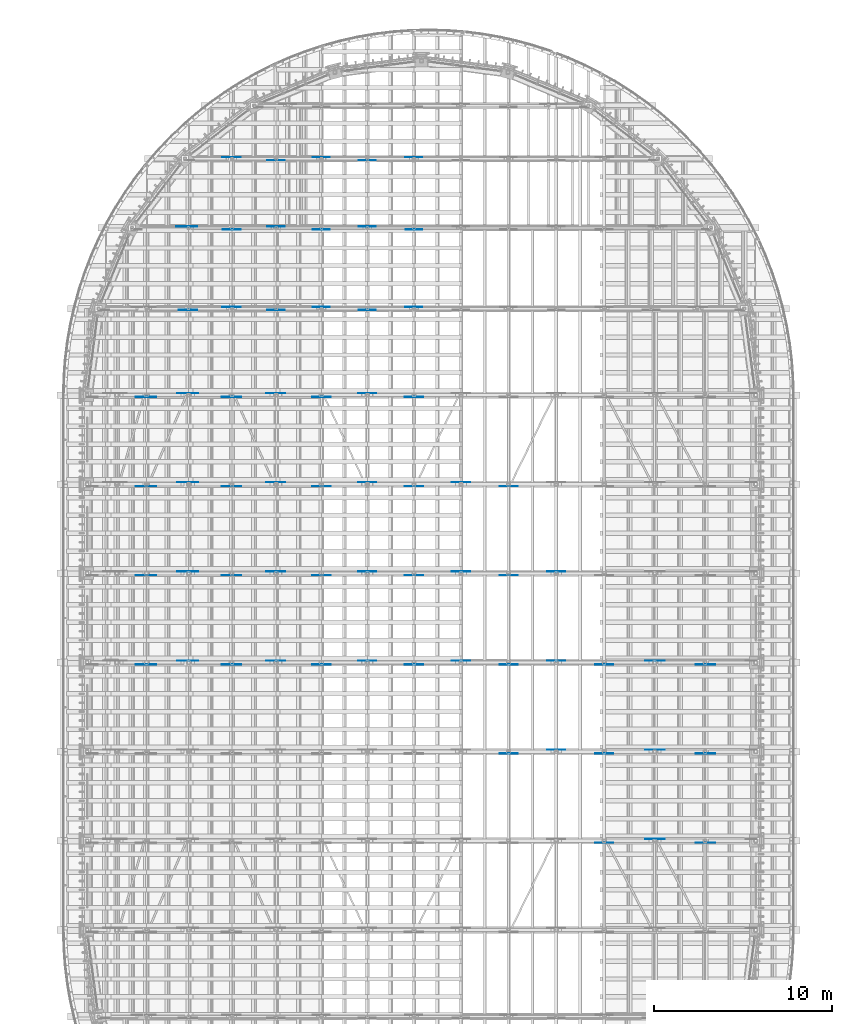
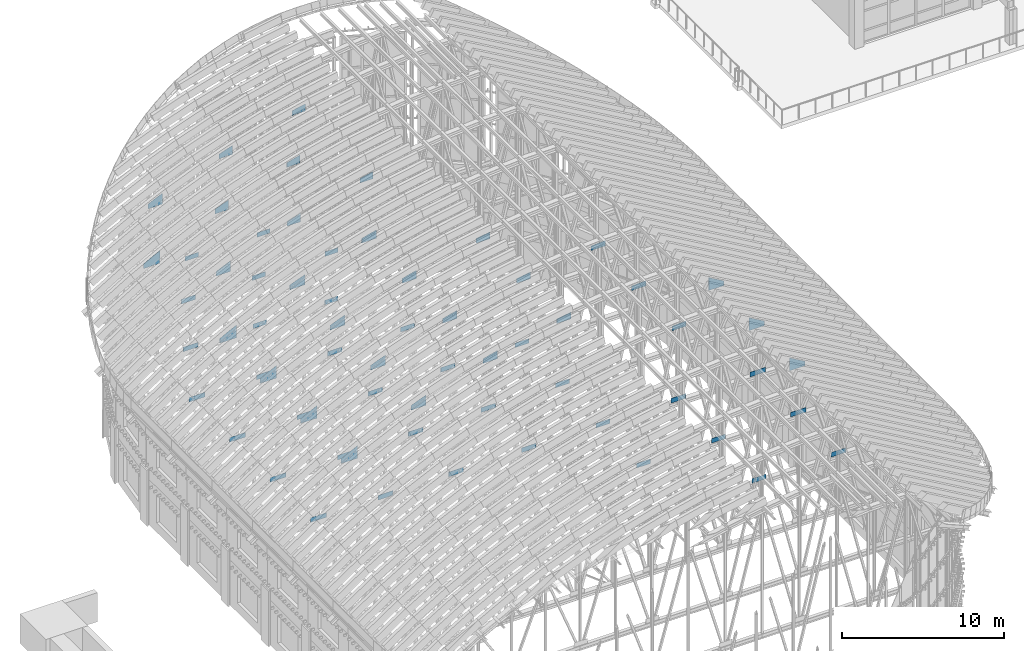
# One storey, part 62 of 105: 64 discrete accessories.
"""IFC4 building model written with IfcOpenShell, lengths in metres."""

from ifc_helpers import new_model, si_unit, direction, frame, origin, place, context, subcontext, project, spatial, polyline, outline, extrude, element, save


model = new_model("IFC4")

# Units and contexts
model_context = context("Model", 3, precision=1e-05, world=origin(), true_north=direction((0.0, 1.0)))
body_context = subcontext(model_context, "Body", "Model", "MODEL_VIEW")
ifc_project = project(units=[si_unit("LENGTHUNIT", "METRE"), si_unit("AREAUNIT", "SQUARE_METRE"), si_unit("VOLUMEUNIT", "CUBIC_METRE"), si_unit("PLANEANGLEUNIT", "RADIAN"), si_unit("MASSUNIT", "GRAM", prefix="KILO")], contexts=[model_context])

# Site, building, storey
site_placement = place(None, origin())
site = spatial("IfcSite", under=ifc_project, at=site_placement, CompositionType="ELEMENT")
building_placement = place(site_placement, origin())
building = spatial("IfcBuilding", under=site, at=building_placement, Name="Wasatch Bagh Community Centre", CompositionType="ELEMENT")
storey_placement = place(building_placement, frame((0.0, 0.0, 16.800048828125)))
storey = spatial("IfcBuildingStorey", under=building, at=storey_placement, Name="L04", CompositionType="ELEMENT", Elevation=16.800048828125)

# Discrete accessories
discrete_accessory_1_placement = place(storey_placement, frame((45.747802734375, 39.885986328125, 8.071044921875), z_axis=(0.0, -1.0, 0.0), x_axis=(1.0, 0.0, 0.0)))
element("IfcDiscreteAccessory", 1, at=discrete_accessory_1_placement, inside=storey, Name="Gusset plate", PredefinedType="BRACKET", context=body_context, shape_type="SweptSolid", body=[
    extrude(outline(polyline([(0.0, 0.0), (1.01904296875, 0.0), (1.01904296875, 0.35009765625), (0.0, 0.35009765625), (0.0, 0.0)])), origin(), (0.0, 0.0, -1.0), 0.011962890625),
])
discrete_accessory_2_placement = place(storey_placement, frame((51.3984375, 39.885986328125, 8.071044921875), z_axis=(0.0, -1.0, 0.0), x_axis=(1.0, 0.0, 0.0)))
element("IfcDiscreteAccessory", 2, at=discrete_accessory_2_placement, inside=storey, Name="Gusset plate", PredefinedType="BRACKET", context=body_context, shape_type="SweptSolid", body=[
    extrude(outline(polyline([(0.0, 0.0), (1.083740234375, 0.0), (1.083740234375, 0.35009765625), (0.0, 0.35009765625), (0.0, 0.0)])), origin(), (0.0, 0.0, -1.0), 0.011962890625),
])
discrete_accessory_3_placement = place(storey_placement, frame((48.56640625, 40.114013671875, 16.436767578125), z_axis=(0.0, 1.0, 0.0), x_axis=(0.865538231451, 0.0, -0.500842859484)))
element("IfcDiscreteAccessory", 3, at=discrete_accessory_3_placement, inside=storey, Name="Gusset plate", PredefinedType="BRACKET", context=body_context, shape_type="SweptSolid", body=[
    extrude(outline(polyline([(0.0, 0.0), (0.5971379245240133, 0.0), (1.25255662563071, 0.0032267911189696186), (1.427900536885637, 0.30624969734483143), (0.49093849629604763, 0.8484218748234554), (0.0, 0.0)])), origin(), (0.0, 0.0, -1.0), 0.011962890625),
])
discrete_accessory_4_placement = place(storey_placement, frame((40.384033203125, 44.885986328125, 8.071044921875), z_axis=(0.0, -1.0, 0.0), x_axis=(1.0, 0.0, 0.0)))
element("IfcDiscreteAccessory", 4, at=discrete_accessory_4_placement, inside=storey, Name="Gusset plate", PredefinedType="BRACKET", context=body_context, shape_type="SweptSolid", body=[
    extrude(outline(polyline([(0.0, 0.0), (1.00732421875, 0.0), (1.00732421875, 0.35009765625), (0.0, 0.35009765625), (0.0, 0.0)])), origin(), (0.0, 0.0, -1.0), 0.011962890625),
])
discrete_accessory_5_placement = place(storey_placement, frame((45.747802734375, 44.885986328125, 8.071044921875), z_axis=(0.0, -1.0, 0.0), x_axis=(1.0, 0.0, 0.0)))
element("IfcDiscreteAccessory", 5, at=discrete_accessory_5_placement, inside=storey, Name="Gusset plate", PredefinedType="BRACKET", context=body_context, shape_type="SweptSolid", body=[
    extrude(outline(polyline([(0.0, 0.0), (1.01904296875, 0.0), (1.01904296875, 0.35009765625), (0.0, 0.35009765625), (0.0, 0.0)])), origin(), (0.0, 0.0, -1.0), 0.011962890625),
])
discrete_accessory_6_placement = place(storey_placement, frame((51.3984375, 44.885986328125, 8.071044921875), z_axis=(0.0, -1.0, 0.0), x_axis=(1.0, 0.0, 0.0)))
element("IfcDiscreteAccessory", 6, at=discrete_accessory_6_placement, inside=storey, Name="Gusset plate", PredefinedType="BRACKET", context=body_context, shape_type="SweptSolid", body=[
    extrude(outline(polyline([(0.0, 0.0), (1.083740234375, 0.0), (1.083740234375, 0.35009765625), (0.0, 0.35009765625), (0.0, 0.0)])), origin(), (0.0, 0.0, -1.0), 0.011962890625),
])
discrete_accessory_7_placement = place(storey_placement, frame((43.059326171875, 45.114013671875, 17.7216796875), z_axis=(0.0, 1.0, 0.0), x_axis=(0.997003391419, 0.0, 0.077357853503)))
element("IfcDiscreteAccessory", 7, at=discrete_accessory_7_placement, inside=storey, Name="Gusset plate", PredefinedType="BRACKET", context=body_context, shape_type="SweptSolid", body=[
    extrude(outline(polyline([(0.0, 0.0), (0.5081144168966908, 0.0), (1.0105002169094446, 0.026491700501360058), (0.9794135404285474, 0.4271429657054703), (-0.02708280320389224, 0.3490485506091701), (0.0, 0.0)])), origin(), (0.0, 0.0, -1.0), 0.011962890625),
])
discrete_accessory_8_placement = place(storey_placement, frame((48.56640625, 45.114013671875, 16.436767578125), z_axis=(0.0, 1.0, 0.0), x_axis=(0.865538231451, 0.0, -0.500842859484)))
element("IfcDiscreteAccessory", 8, at=discrete_accessory_8_placement, inside=storey, Name="Gusset plate", PredefinedType="BRACKET", context=body_context, shape_type="SweptSolid", body=[
    extrude(outline(polyline([(0.0, 0.0), (0.5971379245240133, 0.0), (1.25255662563071, 0.0032267911189696186), (1.427900536885637, 0.30624969734483143), (0.49093849629604763, 0.8484218748234554), (0.0, 0.0)])), origin(), (0.0, 0.0, -1.0), 0.011962890625),
])
discrete_accessory_9_placement = place(storey_placement, frame((19.98486328125, 49.885986328125, 8.071044921875), z_axis=(0.0, -1.0, 0.0), x_axis=(1.0, 0.0, 0.0)))
element("IfcDiscreteAccessory", 9, at=discrete_accessory_9_placement, inside=storey, Name="Gusset plate", PredefinedType="BRACKET", context=body_context, shape_type="SweptSolid", body=[
    extrude(outline(polyline([(0.0, 0.0), (1.14990234375, 0.0), (1.14990234375, 0.35009765625), (0.0, 0.35009765625), (0.0, 0.0)])), origin(), (0.0, 0.0, -1.0), 0.011962890625),
])
discrete_accessory_10_placement = place(storey_placement, frame((24.814453125, 49.885986328125, 8.071044921875), z_axis=(0.0, -1.0, 0.0), x_axis=(1.0, 0.0, 0.0)))
element("IfcDiscreteAccessory", 10, at=discrete_accessory_10_placement, inside=storey, Name="Gusset plate", PredefinedType="BRACKET", context=body_context, shape_type="SweptSolid", body=[
    extrude(outline(polyline([(0.0, 0.0), (1.083740234375, 0.0), (1.083740234375, 0.35009765625), (0.0, 0.35009765625), (0.0, 0.0)])), origin(), (0.0, 0.0, -1.0), 0.011962890625),
])
discrete_accessory_11_placement = place(storey_placement, frame((29.8701171875, 49.885986328125, 8.071044921875), z_axis=(0.0, -1.0, 0.0), x_axis=(1.0, 0.0, 0.0)))
element("IfcDiscreteAccessory", 11, at=discrete_accessory_11_placement, inside=storey, Name="Gusset plate", PredefinedType="BRACKET", context=body_context, shape_type="SweptSolid", body=[
    extrude(outline(polyline([(0.0, 0.0), (1.035888671875, 0.0), (1.035888671875, 0.35009765625), (0.0, 0.35009765625), (0.0, 0.0)])), origin(), (0.0, 0.0, -1.0), 0.011962890625),
])
discrete_accessory_12_placement = place(storey_placement, frame((35.073974609375, 49.885986328125, 8.071044921875), z_axis=(0.0, -1.0, 0.0), x_axis=(1.0, 0.0, 0.0)))
element("IfcDiscreteAccessory", 12, at=discrete_accessory_12_placement, inside=storey, Name="Gusset plate", PredefinedType="BRACKET", context=body_context, shape_type="SweptSolid", body=[
    extrude(outline(polyline([(0.0, 0.0), (1.015869140625, 0.0), (1.015869140625, 0.35009765625), (0.0, 0.35009765625), (0.0, 0.0)])), origin(), (0.0, 0.0, -1.0), 0.011962890625),
])
discrete_accessory_13_placement = place(storey_placement, frame((40.384033203125, 49.885986328125, 8.071044921875), z_axis=(0.0, -1.0, 0.0), x_axis=(1.0, 0.0, 0.0)))
element("IfcDiscreteAccessory", 13, at=discrete_accessory_13_placement, inside=storey, Name="Gusset plate", PredefinedType="BRACKET", context=body_context, shape_type="SweptSolid", body=[
    extrude(outline(polyline([(0.0, 0.0), (1.00732421875, 0.0), (1.00732421875, 0.35009765625), (0.0, 0.35009765625), (0.0, 0.0)])), origin(), (0.0, 0.0, -1.0), 0.011962890625),
])
discrete_accessory_14_placement = place(storey_placement, frame((45.747802734375, 49.885986328125, 8.071044921875), z_axis=(0.0, -1.0, 0.0), x_axis=(1.0, 0.0, 0.0)))
element("IfcDiscreteAccessory", 14, at=discrete_accessory_14_placement, inside=storey, Name="Gusset plate", PredefinedType="BRACKET", context=body_context, shape_type="SweptSolid", body=[
    extrude(outline(polyline([(0.0, 0.0), (1.01904296875, 0.0), (1.01904296875, 0.35009765625), (0.0, 0.35009765625), (0.0, 0.0)])), origin(), (0.0, 0.0, -1.0), 0.011962890625),
])
discrete_accessory_15_placement = place(storey_placement, frame((51.3984375, 49.885986328125, 8.071044921875), z_axis=(0.0, -1.0, 0.0), x_axis=(1.0, 0.0, 0.0)))
element("IfcDiscreteAccessory", 15, at=discrete_accessory_15_placement, inside=storey, Name="Gusset plate", PredefinedType="BRACKET", context=body_context, shape_type="SweptSolid", body=[
    extrude(outline(polyline([(0.0, 0.0), (1.083740234375, 0.0), (1.083740234375, 0.35009765625), (0.0, 0.35009765625), (0.0, 0.0)])), origin(), (0.0, 0.0, -1.0), 0.011962890625),
])
discrete_accessory_16_placement = place(storey_placement, frame((22.302490234375, 50.114013671875, 11.925048828125), z_axis=(0.0, 1.0, 0.0), x_axis=(0.88123530685, 0.0, 0.47267783316)))
element("IfcDiscreteAccessory", 16, at=discrete_accessory_16_placement, inside=storey, Name="Gusset plate", PredefinedType="BRACKET", context=body_context, shape_type="SweptSolid", body=[
    extrude(outline(polyline([(0.0, 0.0), (0.7272395189381735, 0.0), (1.3220068813973835, 0.0259097277356114), (0.8719474211132257, 0.8649765482227667), (-0.16548340155063654, 0.3085184155329694), (0.0, 0.0)])), origin(), (0.0, 0.0, -1.0), 0.011962890625),
])
discrete_accessory_17_placement = place(storey_placement, frame((27.30224609375, 50.114013671875, 14.214599609375), z_axis=(0.0, 1.0, 0.0), x_axis=(0.925314460262, 0.0, 0.379200671981)))
element("IfcDiscreteAccessory", 17, at=discrete_accessory_17_placement, inside=storey, Name="Gusset plate", PredefinedType="BRACKET", context=body_context, shape_type="SweptSolid", body=[
    extrude(outline(polyline([(0.0, 0.0), (0.6026245254422946, 0.0), (1.148414289711042, 0.0247286896550164), (0.8592922929832771, 0.7302357842343062), (-0.13266468821994468, 0.32372451698114707), (0.0, 0.0)])), origin(), (0.0, 0.0, -1.0), 0.011962890625),
])
discrete_accessory_18_placement = place(storey_placement, frame((32.444091796875, 50.114013671875, 15.9384765625), z_axis=(0.0, 1.0, 0.0), x_axis=(0.959541831045, 0.0, 0.281566110311)))
element("IfcDiscreteAccessory", 18, at=discrete_accessory_18_placement, inside=storey, Name="Gusset plate", PredefinedType="BRACKET", context=body_context, shape_type="SweptSolid", body=[
    extrude(outline(polyline([(0.0, 0.0), (0.5505964361396236, 0.0), (1.0694922193100176, 0.02479205536379331), (0.8928947248302147, 0.6266140680477204), (-0.09850689357320268, 0.3356990829801742), (0.0, 0.0)])), origin(), (0.0, 0.0, -1.0), 0.011962890625),
])
discrete_accessory_19_placement = place(storey_placement, frame((37.712158203125, 50.114013671875, 17.10888671875), z_axis=(0.0, 1.0, 0.0), x_axis=(0.983614840547, 0.0, 0.180282682076)))
element("IfcDiscreteAccessory", 19, at=discrete_accessory_19_placement, inside=storey, Name="Gusset plate", PredefinedType="BRACKET", context=body_context, shape_type="SweptSolid", body=[
    extrude(outline(polyline([(0.0, 0.0), (0.5227250902032334, 0.0), (1.0289938394058082, 0.024783030615625812), (0.9368278393408399, 0.5276369066177592), (-0.06311654445709872, 0.34436125032810855), (0.0, 0.0)])), origin(), (0.0, 0.0, -1.0), 0.011962890625),
])
discrete_accessory_20_placement = place(storey_placement, frame((43.059326171875, 50.114013671875, 17.7216796875), z_axis=(0.0, 1.0, 0.0), x_axis=(0.997003391419, 0.0, 0.077357853503)))
element("IfcDiscreteAccessory", 20, at=discrete_accessory_20_placement, inside=storey, Name="Gusset plate", PredefinedType="BRACKET", context=body_context, shape_type="SweptSolid", body=[
    extrude(outline(polyline([(0.0, 0.0), (0.5081144168966908, 0.0), (1.0105002169094446, 0.026491700501360058), (0.9794135404285474, 0.4271429657054703), (-0.02708280320389224, 0.3490485506091701), (0.0, 0.0)])), origin(), (0.0, 0.0, -1.0), 0.011962890625),
])
discrete_accessory_21_placement = place(storey_placement, frame((48.56640625, 50.114013671875, 16.436767578125), z_axis=(0.0, 1.0, 0.0), x_axis=(0.865538231451, 0.0, -0.500842859484)))
element("IfcDiscreteAccessory", 21, at=discrete_accessory_21_placement, inside=storey, Name="Gusset plate", PredefinedType="BRACKET", context=body_context, shape_type="SweptSolid", body=[
    extrude(outline(polyline([(0.0, 0.0), (0.5971379245240133, 0.0), (1.25255662563071, 0.0032267911189696186), (1.427900536885637, 0.30624969734483143), (0.49093849629604763, 0.8484218748234554), (0.0, 0.0)])), origin(), (0.0, 0.0, -1.0), 0.011962890625),
])
discrete_accessory_22_placement = place(storey_placement, frame((19.98486328125, 54.885986328125, 8.071044921875), z_axis=(0.0, -1.0, 0.0), x_axis=(1.0, 0.0, 0.0)))
element("IfcDiscreteAccessory", 22, at=discrete_accessory_22_placement, inside=storey, Name="Gusset plate", PredefinedType="BRACKET", context=body_context, shape_type="SweptSolid", body=[
    extrude(outline(polyline([(0.0, 0.0), (1.14990234375, 0.0), (1.14990234375, 0.35009765625), (0.0, 0.35009765625), (0.0, 0.0)])), origin(), (0.0, 0.0, -1.0), 0.011962890625),
])
discrete_accessory_23_placement = place(storey_placement, frame((24.814453125, 54.885986328125, 8.071044921875), z_axis=(0.0, -1.0, 0.0), x_axis=(1.0, 0.0, 0.0)))
element("IfcDiscreteAccessory", 23, at=discrete_accessory_23_placement, inside=storey, Name="Gusset plate", PredefinedType="BRACKET", context=body_context, shape_type="SweptSolid", body=[
    extrude(outline(polyline([(0.0, 0.0), (1.083740234375, 0.0), (1.083740234375, 0.35009765625), (0.0, 0.35009765625), (0.0, 0.0)])), origin(), (0.0, 0.0, -1.0), 0.011962890625),
])
discrete_accessory_24_placement = place(storey_placement, frame((29.8701171875, 54.885986328125, 8.071044921875), z_axis=(0.0, -1.0, 0.0), x_axis=(1.0, 0.0, 0.0)))
element("IfcDiscreteAccessory", 24, at=discrete_accessory_24_placement, inside=storey, Name="Gusset plate", PredefinedType="BRACKET", context=body_context, shape_type="SweptSolid", body=[
    extrude(outline(polyline([(0.0, 0.0), (1.035888671875, 0.0), (1.035888671875, 0.35009765625), (0.0, 0.35009765625), (0.0, 0.0)])), origin(), (0.0, 0.0, -1.0), 0.011962890625),
])
discrete_accessory_25_placement = place(storey_placement, frame((35.073974609375, 54.885986328125, 8.071044921875), z_axis=(0.0, -1.0, 0.0), x_axis=(1.0, 0.0, 0.0)))
element("IfcDiscreteAccessory", 25, at=discrete_accessory_25_placement, inside=storey, Name="Gusset plate", PredefinedType="BRACKET", context=body_context, shape_type="SweptSolid", body=[
    extrude(outline(polyline([(0.0, 0.0), (1.015869140625, 0.0), (1.015869140625, 0.35009765625), (0.0, 0.35009765625), (0.0, 0.0)])), origin(), (0.0, 0.0, -1.0), 0.011962890625),
])
discrete_accessory_26_placement = place(storey_placement, frame((40.384033203125, 54.885986328125, 8.071044921875), z_axis=(0.0, -1.0, 0.0), x_axis=(1.0, 0.0, 0.0)))
element("IfcDiscreteAccessory", 26, at=discrete_accessory_26_placement, inside=storey, Name="Gusset plate", PredefinedType="BRACKET", context=body_context, shape_type="SweptSolid", body=[
    extrude(outline(polyline([(0.0, 0.0), (1.00732421875, 0.0), (1.00732421875, 0.35009765625), (0.0, 0.35009765625), (0.0, 0.0)])), origin(), (0.0, 0.0, -1.0), 0.011962890625),
])
discrete_accessory_27_placement = place(storey_placement, frame((22.302490234375, 55.114013671875, 11.925048828125), z_axis=(0.0, 1.0, 0.0), x_axis=(0.88123530685, 0.0, 0.47267783316)))
element("IfcDiscreteAccessory", 27, at=discrete_accessory_27_placement, inside=storey, Name="Gusset plate", PredefinedType="BRACKET", context=body_context, shape_type="SweptSolid", body=[
    extrude(outline(polyline([(0.0, 0.0), (0.7272395189381735, 0.0), (1.3220068813973835, 0.0259097277356114), (0.8719474211132257, 0.8649765482227667), (-0.16548340155063654, 0.3085184155329694), (0.0, 0.0)])), origin(), (0.0, 0.0, -1.0), 0.011962890625),
])
discrete_accessory_28_placement = place(storey_placement, frame((27.30224609375, 55.114013671875, 14.214599609375), z_axis=(0.0, 1.0, 0.0), x_axis=(0.925314460262, 0.0, 0.379200671981)))
element("IfcDiscreteAccessory", 28, at=discrete_accessory_28_placement, inside=storey, Name="Gusset plate", PredefinedType="BRACKET", context=body_context, shape_type="SweptSolid", body=[
    extrude(outline(polyline([(0.0, 0.0), (0.6026245254422946, 0.0), (1.148414289711042, 0.0247286896550164), (0.8592922929832771, 0.7302357842343062), (-0.13266468821994468, 0.32372451698114707), (0.0, 0.0)])), origin(), (0.0, 0.0, -1.0), 0.011962890625),
])
discrete_accessory_29_placement = place(storey_placement, frame((32.444091796875, 55.114013671875, 15.9384765625), z_axis=(0.0, 1.0, 0.0), x_axis=(0.959541831045, 0.0, 0.281566110311)))
element("IfcDiscreteAccessory", 29, at=discrete_accessory_29_placement, inside=storey, Name="Gusset plate", PredefinedType="BRACKET", context=body_context, shape_type="SweptSolid", body=[
    extrude(outline(polyline([(0.0, 0.0), (0.5505964361396236, 0.0), (1.0694922193100176, 0.02479205536379331), (0.8928947248302147, 0.6266140680477204), (-0.09850689357320268, 0.3356990829801742), (0.0, 0.0)])), origin(), (0.0, 0.0, -1.0), 0.011962890625),
])
discrete_accessory_30_placement = place(storey_placement, frame((37.712158203125, 55.114013671875, 17.10888671875), z_axis=(0.0, 1.0, 0.0), x_axis=(0.983614840547, 0.0, 0.180282682076)))
element("IfcDiscreteAccessory", 30, at=discrete_accessory_30_placement, inside=storey, Name="Gusset plate", PredefinedType="BRACKET", context=body_context, shape_type="SweptSolid", body=[
    extrude(outline(polyline([(0.0, 0.0), (0.5227250902032334, 0.0), (1.0289938394058082, 0.024783030615625812), (0.9368278393408399, 0.5276369066177592), (-0.06311654445709872, 0.34436125032810855), (0.0, 0.0)])), origin(), (0.0, 0.0, -1.0), 0.011962890625),
])
discrete_accessory_31_placement = place(storey_placement, frame((43.059326171875, 55.114013671875, 17.7216796875), z_axis=(0.0, 1.0, 0.0), x_axis=(0.997003391419, 0.0, 0.077357853503)))
element("IfcDiscreteAccessory", 31, at=discrete_accessory_31_placement, inside=storey, Name="Gusset plate", PredefinedType="BRACKET", context=body_context, shape_type="SweptSolid", body=[
    extrude(outline(polyline([(0.0, 0.0), (0.5081144168966908, 0.0), (1.0105002169094446, 0.026491700501360058), (0.9794135404285474, 0.4271429657054703), (-0.02708280320389224, 0.3490485506091701), (0.0, 0.0)])), origin(), (0.0, 0.0, -1.0), 0.011962890625),
])
discrete_accessory_32_placement = place(storey_placement, frame((19.98486328125, 59.885986328125, 8.071044921875), z_axis=(0.0, -1.0, 0.0), x_axis=(1.0, 0.0, 0.0)))
element("IfcDiscreteAccessory", 32, at=discrete_accessory_32_placement, inside=storey, Name="Gusset plate", PredefinedType="BRACKET", context=body_context, shape_type="SweptSolid", body=[
    extrude(outline(polyline([(0.0, 0.0), (1.14990234375, 0.0), (1.14990234375, 0.35009765625), (0.0, 0.35009765625), (0.0, 0.0)])), origin(), (0.0, 0.0, -1.0), 0.011962890625),
])
discrete_accessory_33_placement = place(storey_placement, frame((24.814453125, 59.885986328125, 8.071044921875), z_axis=(0.0, -1.0, 0.0), x_axis=(1.0, 0.0, 0.0)))
element("IfcDiscreteAccessory", 33, at=discrete_accessory_33_placement, inside=storey, Name="Gusset plate", PredefinedType="BRACKET", context=body_context, shape_type="SweptSolid", body=[
    extrude(outline(polyline([(0.0, 0.0), (1.083740234375, 0.0), (1.083740234375, 0.35009765625), (0.0, 0.35009765625), (0.0, 0.0)])), origin(), (0.0, 0.0, -1.0), 0.011962890625),
])
discrete_accessory_34_placement = place(storey_placement, frame((29.8701171875, 59.885986328125, 8.071044921875), z_axis=(0.0, -1.0, 0.0), x_axis=(1.0, 0.0, 0.0)))
element("IfcDiscreteAccessory", 34, at=discrete_accessory_34_placement, inside=storey, Name="Gusset plate", PredefinedType="BRACKET", context=body_context, shape_type="SweptSolid", body=[
    extrude(outline(polyline([(0.0, 0.0), (1.035888671875, 0.0), (1.035888671875, 0.35009765625), (0.0, 0.35009765625), (0.0, 0.0)])), origin(), (0.0, 0.0, -1.0), 0.011962890625),
])
discrete_accessory_35_placement = place(storey_placement, frame((35.073974609375, 59.885986328125, 8.071044921875), z_axis=(0.0, -1.0, 0.0), x_axis=(1.0, 0.0, 0.0)))
element("IfcDiscreteAccessory", 35, at=discrete_accessory_35_placement, inside=storey, Name="Gusset plate", PredefinedType="BRACKET", context=body_context, shape_type="SweptSolid", body=[
    extrude(outline(polyline([(0.0, 0.0), (1.015869140625, 0.0), (1.015869140625, 0.35009765625), (0.0, 0.35009765625), (0.0, 0.0)])), origin(), (0.0, 0.0, -1.0), 0.011962890625),
])
discrete_accessory_36_placement = place(storey_placement, frame((40.384033203125, 59.885986328125, 8.071044921875), z_axis=(0.0, -1.0, 0.0), x_axis=(1.0, 0.0, 0.0)))
element("IfcDiscreteAccessory", 36, at=discrete_accessory_36_placement, inside=storey, Name="Gusset plate", PredefinedType="BRACKET", context=body_context, shape_type="SweptSolid", body=[
    extrude(outline(polyline([(0.0, 0.0), (1.00732421875, 0.0), (1.00732421875, 0.35009765625), (0.0, 0.35009765625), (0.0, 0.0)])), origin(), (0.0, 0.0, -1.0), 0.011962890625),
])
discrete_accessory_37_placement = place(storey_placement, frame((22.302490234375, 60.114013671875, 11.925048828125), z_axis=(0.0, 1.0, 0.0), x_axis=(0.88123530685, 0.0, 0.47267783316)))
element("IfcDiscreteAccessory", 37, at=discrete_accessory_37_placement, inside=storey, Name="Gusset plate", PredefinedType="BRACKET", context=body_context, shape_type="SweptSolid", body=[
    extrude(outline(polyline([(0.0, 0.0), (0.7272395189381735, 0.0), (1.3220068813973835, 0.0259097277356114), (0.8719474211132257, 0.8649765482227667), (-0.16548340155063654, 0.3085184155329694), (0.0, 0.0)])), origin(), (0.0, 0.0, -1.0), 0.011962890625),
])
discrete_accessory_38_placement = place(storey_placement, frame((27.30224609375, 60.114013671875, 14.214599609375), z_axis=(0.0, 1.0, 0.0), x_axis=(0.925314460262, 0.0, 0.379200671981)))
element("IfcDiscreteAccessory", 38, at=discrete_accessory_38_placement, inside=storey, Name="Gusset plate", PredefinedType="BRACKET", context=body_context, shape_type="SweptSolid", body=[
    extrude(outline(polyline([(0.0, 0.0), (0.6026245254422946, 0.0), (1.148414289711042, 0.0247286896550164), (0.8592922929832771, 0.7302357842343062), (-0.13266468821994468, 0.32372451698114707), (0.0, 0.0)])), origin(), (0.0, 0.0, -1.0), 0.011962890625),
])
discrete_accessory_39_placement = place(storey_placement, frame((32.444091796875, 60.114013671875, 15.9384765625), z_axis=(0.0, 1.0, 0.0), x_axis=(0.959541831045, 0.0, 0.281566110311)))
element("IfcDiscreteAccessory", 39, at=discrete_accessory_39_placement, inside=storey, Name="Gusset plate", PredefinedType="BRACKET", context=body_context, shape_type="SweptSolid", body=[
    extrude(outline(polyline([(0.0, 0.0), (0.5505964361396236, 0.0), (1.0694922193100176, 0.02479205536379331), (0.8928947248302147, 0.6266140680477204), (-0.09850689357320268, 0.3356990829801742), (0.0, 0.0)])), origin(), (0.0, 0.0, -1.0), 0.011962890625),
])
discrete_accessory_40_placement = place(storey_placement, frame((37.712158203125, 60.114013671875, 17.10888671875), z_axis=(0.0, 1.0, 0.0), x_axis=(0.983614840547, 0.0, 0.180282682076)))
element("IfcDiscreteAccessory", 40, at=discrete_accessory_40_placement, inside=storey, Name="Gusset plate", PredefinedType="BRACKET", context=body_context, shape_type="SweptSolid", body=[
    extrude(outline(polyline([(0.0, 0.0), (0.5227250902032334, 0.0), (1.0289938394058082, 0.024783030615625812), (0.9368278393408399, 0.5276369066177592), (-0.06311654445709872, 0.34436125032810855), (0.0, 0.0)])), origin(), (0.0, 0.0, -1.0), 0.011962890625),
])
discrete_accessory_41_placement = place(storey_placement, frame((19.98486328125, 64.885986328125, 8.071044921875), z_axis=(0.0, -1.0, 0.0), x_axis=(1.0, 0.0, 0.0)))
element("IfcDiscreteAccessory", 41, at=discrete_accessory_41_placement, inside=storey, Name="Gusset plate", PredefinedType="BRACKET", context=body_context, shape_type="SweptSolid", body=[
    extrude(outline(polyline([(0.0, 0.0), (1.14990234375, 0.0), (1.14990234375, 0.35009765625), (0.0, 0.35009765625), (0.0, 0.0)])), origin(), (0.0, 0.0, -1.0), 0.011962890625),
])
discrete_accessory_42_placement = place(storey_placement, frame((24.814453125, 64.885986328125, 8.071044921875), z_axis=(0.0, -1.0, 0.0), x_axis=(1.0, 0.0, 0.0)))
element("IfcDiscreteAccessory", 42, at=discrete_accessory_42_placement, inside=storey, Name="Gusset plate", PredefinedType="BRACKET", context=body_context, shape_type="SweptSolid", body=[
    extrude(outline(polyline([(0.0, 0.0), (1.083740234375, 0.0), (1.083740234375, 0.35009765625), (0.0, 0.35009765625), (0.0, 0.0)])), origin(), (0.0, 0.0, -1.0), 0.011962890625),
])
discrete_accessory_43_placement = place(storey_placement, frame((29.8701171875, 64.885986328125, 8.071044921875), z_axis=(0.0, -1.0, 0.0), x_axis=(1.0, 0.0, 0.0)))
element("IfcDiscreteAccessory", 43, at=discrete_accessory_43_placement, inside=storey, Name="Gusset plate", PredefinedType="BRACKET", context=body_context, shape_type="SweptSolid", body=[
    extrude(outline(polyline([(0.0, 0.0), (1.035888671875, 0.0), (1.035888671875, 0.35009765625), (0.0, 0.35009765625), (0.0, 0.0)])), origin(), (0.0, 0.0, -1.0), 0.011962890625),
])
discrete_accessory_44_placement = place(storey_placement, frame((35.073974609375, 64.885986328125, 8.071044921875), z_axis=(0.0, -1.0, 0.0), x_axis=(1.0, 0.0, 0.0)))
element("IfcDiscreteAccessory", 44, at=discrete_accessory_44_placement, inside=storey, Name="Gusset plate", PredefinedType="BRACKET", context=body_context, shape_type="SweptSolid", body=[
    extrude(outline(polyline([(0.0, 0.0), (1.015869140625, 0.0), (1.015869140625, 0.35009765625), (0.0, 0.35009765625), (0.0, 0.0)])), origin(), (0.0, 0.0, -1.0), 0.011962890625),
])
discrete_accessory_45_placement = place(storey_placement, frame((22.302490234375, 65.114013671875, 11.925048828125), z_axis=(0.0, 1.0, 0.0), x_axis=(0.88123530685, 0.0, 0.47267783316)))
element("IfcDiscreteAccessory", 45, at=discrete_accessory_45_placement, inside=storey, Name="Gusset plate", PredefinedType="BRACKET", context=body_context, shape_type="SweptSolid", body=[
    extrude(outline(polyline([(0.0, 0.0), (0.7272395189381735, 0.0), (1.3220068813973835, 0.0259097277356114), (0.8719474211132257, 0.8649765482227667), (-0.16548340155063654, 0.3085184155329694), (0.0, 0.0)])), origin(), (0.0, 0.0, -1.0), 0.011962890625),
])
discrete_accessory_46_placement = place(storey_placement, frame((27.30224609375, 65.114013671875, 14.214599609375), z_axis=(0.0, 1.0, 0.0), x_axis=(0.925314460262, 0.0, 0.379200671981)))
element("IfcDiscreteAccessory", 46, at=discrete_accessory_46_placement, inside=storey, Name="Gusset plate", PredefinedType="BRACKET", context=body_context, shape_type="SweptSolid", body=[
    extrude(outline(polyline([(0.0, 0.0), (0.6026245254422946, 0.0), (1.148414289711042, 0.0247286896550164), (0.8592922929832771, 0.7302357842343062), (-0.13266468821994468, 0.32372451698114707), (0.0, 0.0)])), origin(), (0.0, 0.0, -1.0), 0.011962890625),
])
discrete_accessory_47_placement = place(storey_placement, frame((32.444091796875, 65.114013671875, 15.9384765625), z_axis=(0.0, 1.0, 0.0), x_axis=(0.959541831045, 0.0, 0.281566110311)))
element("IfcDiscreteAccessory", 47, at=discrete_accessory_47_placement, inside=storey, Name="Gusset plate", PredefinedType="BRACKET", context=body_context, shape_type="SweptSolid", body=[
    extrude(outline(polyline([(0.0, 0.0), (0.5505964361396236, 0.0), (1.0694922193100176, 0.02479205536379331), (0.8928947248302147, 0.6266140680477204), (-0.09850689357320268, 0.3356990829801742), (0.0, 0.0)])), origin(), (0.0, 0.0, -1.0), 0.011962890625),
])
discrete_accessory_48_placement = place(storey_placement, frame((22.383056640625, 69.76416015625, 8.071044921875), z_axis=(0.0, -1.0, 0.0), x_axis=(1.0, 0.0, 0.0)))
element("IfcDiscreteAccessory", 48, at=discrete_accessory_48_placement, inside=storey, Name="Gusset plate", PredefinedType="BRACKET", context=body_context, shape_type="SweptSolid", body=[
    extrude(outline(polyline([(0.0, 0.0), (1.057861328125, 0.0), (1.057861328125, 0.35009765625), (0.0, 0.35009765625), (0.0, 0.0)])), origin(), (0.0, 0.0, -1.0), 0.011962890625),
])
discrete_accessory_49_placement = place(storey_placement, frame((27.361572265625, 69.76416015625, 8.071044921875), z_axis=(0.0, -1.0, 0.0), x_axis=(1.0, 0.0, 0.0)))
element("IfcDiscreteAccessory", 49, at=discrete_accessory_49_placement, inside=storey, Name="Gusset plate", PredefinedType="BRACKET", context=body_context, shape_type="SweptSolid", body=[
    extrude(outline(polyline([(0.0, 0.0), (0.975830078125, 0.0), (0.975830078125, 0.35009765625), (0.0, 0.35009765625), (0.0, 0.0)])), origin(), (0.0, 0.0, -1.0), 0.011962890625),
])
discrete_accessory_50_placement = place(storey_placement, frame((32.494384765625, 69.76416015625, 8.071044921875), z_axis=(0.0, -1.0, 0.0), x_axis=(1.0, 0.0, 0.0)))
element("IfcDiscreteAccessory", 50, at=discrete_accessory_50_placement, inside=storey, Name="Gusset plate", PredefinedType="BRACKET", context=body_context, shape_type="SweptSolid", body=[
    extrude(outline(polyline([(0.0, 0.0), (0.94677734375, 0.0), (0.94677734375, 0.35009765625), (0.0, 0.35009765625), (0.0, 0.0)])), origin(), (0.0, 0.0, -1.0), 0.011962890625),
])
discrete_accessory_51_placement = place(storey_placement, frame((24.833984375, 69.941650390625, 13.1796875), z_axis=(0.0, 1.0, 0.0), x_axis=(0.904419680261, 0.0, 0.426643928771)))
element("IfcDiscreteAccessory", 51, at=discrete_accessory_51_placement, inside=storey, Name="Gusset plate", PredefinedType="BRACKET", context=body_context, shape_type="SweptSolid", body=[
    extrude(outline(polyline([(0.0, 0.0), (0.5968411940343104, 2.7755575615628914e-17), (1.1202816578865034, 0.023411983327647323), (0.7760291714150194, 0.7531744450615406), (-0.14936703951591765, 0.31663521032568925), (0.0, 0.0)])), origin(), (0.0, 0.0, -1.0), 0.011962890625),
])
discrete_accessory_52_placement = place(storey_placement, frame((29.898193359375, 69.941650390625, 15.17431640625), z_axis=(0.0, 1.0, 0.0), x_axis=(0.943749854034, 0.0, 0.330660268268)))
element("IfcDiscreteAccessory", 52, at=discrete_accessory_52_placement, inside=storey, Name="Gusset plate", PredefinedType="BRACKET", context=body_context, shape_type="SweptSolid", body=[
    extrude(outline(polyline([(0.0, 0.0), (0.5264384092368144, 0.0), (1.0157810688987814, 0.02244363273640171), (0.7959598016881677, 0.6498437432183073), (-0.11576338493573998, 0.33040461198349347), (0.0, 0.0)])), origin(), (0.0, 0.0, -1.0), 0.011962890625),
])
discrete_accessory_53_placement = place(storey_placement, frame((35.106689453125, 69.941650390625, 16.615966796875), z_axis=(0.0, 1.0, 0.0), x_axis=(0.972880725955, 0.0, 0.231307356273)))
element("IfcDiscreteAccessory", 53, at=discrete_accessory_53_placement, inside=storey, Name="Gusset plate", PredefinedType="BRACKET", context=body_context, shape_type="SweptSolid", body=[
    extrude(outline(polyline([(0.0, 0.0), (0.4918543581284864, 1.3877787807814457e-17), (0.9634831859783247, 0.022795348104226315), (0.836139902678674, 0.5584022907379506), (-0.08092369178199538, 0.3403657422590363), (0.0, 0.0)])), origin(), (0.0, 0.0, -1.0), 0.011962890625),
])
discrete_accessory_54_placement = place(storey_placement, frame((24.854736328125, 74.286376953125, 8.071044921875), z_axis=(0.0, -1.0, 0.0), x_axis=(1.0, 0.0, 0.0)))
element("IfcDiscreteAccessory", 54, at=discrete_accessory_54_placement, inside=storey, Name="Gusset plate", PredefinedType="BRACKET", context=body_context, shape_type="SweptSolid", body=[
    extrude(outline(polyline([(0.0, 0.0), (1.00439453125, 0.0), (1.00439453125, 0.35009765625), (0.0, 0.35009765625), (0.0, 0.0)])), origin(), (0.0, 0.0, -1.0), 0.011962890625),
])
discrete_accessory_55_placement = place(storey_placement, frame((29.908935546875, 74.286376953125, 8.071044921875), z_axis=(0.0, -1.0, 0.0), x_axis=(1.0, 0.0, 0.0)))
element("IfcDiscreteAccessory", 55, at=discrete_accessory_55_placement, inside=storey, Name="Gusset plate", PredefinedType="BRACKET", context=body_context, shape_type="SweptSolid", body=[
    extrude(outline(polyline([(0.0, 0.0), (0.95849609375, 0.0), (0.95849609375, 0.35009765625), (0.0, 0.35009765625), (0.0, 0.0)])), origin(), (0.0, 0.0, -1.0), 0.011962890625),
])
discrete_accessory_56_placement = place(storey_placement, frame((35.1123046875, 74.286376953125, 8.071044921875), z_axis=(0.0, -1.0, 0.0), x_axis=(1.0, 0.0, 0.0)))
element("IfcDiscreteAccessory", 56, at=discrete_accessory_56_placement, inside=storey, Name="Gusset plate", PredefinedType="BRACKET", context=body_context, shape_type="SweptSolid", body=[
    extrude(outline(polyline([(0.0, 0.0), (0.939208984375, 0.0), (0.939208984375, 0.35009765625), (0.0, 0.35009765625), (0.0, 0.0)])), origin(), (0.0, 0.0, -1.0), 0.011962890625),
])
discrete_accessory_57_placement = place(storey_placement, frame((22.243896484375, 74.463623046875, 11.907958984375), z_axis=(0.0, 1.0, 0.0), x_axis=(0.881200895897, 0.0, 0.472741981498)))
element("IfcDiscreteAccessory", 57, at=discrete_accessory_57_placement, inside=storey, Name="Gusset plate", PredefinedType="BRACKET", context=body_context, shape_type="SweptSolid", body=[
    extrude(outline(polyline([(0.0, 0.0), (0.7937609844499007, 0.0), (1.3436959013085235, 0.023789865073385874), (0.8878045861427897, 0.8735807680986476), (-0.1655058597335854, 0.30850636833879125), (0.0, 0.0)])), origin(), (0.0, 0.0, -1.0), 0.011962890625),
])
discrete_accessory_58_placement = place(storey_placement, frame((27.3466796875, 74.463623046875, 14.24658203125), z_axis=(0.0, 1.0, 0.0), x_axis=(0.925378561705, 0.0, 0.379044215808)))
element("IfcDiscreteAccessory", 58, at=discrete_accessory_58_placement, inside=storey, Name="Gusset plate", PredefinedType="BRACKET", context=body_context, shape_type="SweptSolid", body=[
    extrude(outline(polyline([(0.0, 0.0), (0.5545661148715295, 0.0), (1.0583932820389785, 0.022748418163933914), (0.7816984077066997, 0.6982566944083588), (-0.13260995147764396, 0.32374694309640834), (0.0, 0.0)])), origin(), (0.0, 0.0, -1.0), 0.011962890625),
])
discrete_accessory_59_placement = place(storey_placement, frame((32.486328125, 74.463623046875, 15.964111328125), z_axis=(0.0, 1.0, 0.0), x_axis=(0.959572452853, 0.0, 0.281461734036)))
element("IfcDiscreteAccessory", 59, at=discrete_accessory_59_placement, inside=storey, Name="Gusset plate", PredefinedType="BRACKET", context=body_context, shape_type="SweptSolid", body=[
    extrude(outline(polyline([(0.0, 0.0), (0.5065630874771581, 0.0), (0.9856013187647962, 0.0227120128428209), (0.815185034485128, 0.6037031464058675), (-0.09847037716643726, 0.3357097961273572), (0.0, 0.0)])), origin(), (0.0, 0.0, -1.0), 0.011962890625),
])
discrete_accessory_60_placement = place(storey_placement, frame((27.361572265625, 78.16943359375, 8.071044921875), z_axis=(0.0, -1.0, 0.0), x_axis=(1.0, 0.0, 0.0)))
element("IfcDiscreteAccessory", 60, at=discrete_accessory_60_placement, inside=storey, Name="Gusset plate", PredefinedType="BRACKET", context=body_context, shape_type="SweptSolid", body=[
    extrude(outline(polyline([(0.0, 0.0), (0.975830078125, 0.0), (0.975830078125, 0.35009765625), (0.0, 0.35009765625), (0.0, 0.0)])), origin(), (0.0, 0.0, -1.0), 0.011962890625),
])
discrete_accessory_61_placement = place(storey_placement, frame((32.494384765625, 78.16943359375, 8.071044921875), z_axis=(0.0, -1.0, 0.0), x_axis=(1.0, 0.0, 0.0)))
element("IfcDiscreteAccessory", 61, at=discrete_accessory_61_placement, inside=storey, Name="Gusset plate", PredefinedType="BRACKET", context=body_context, shape_type="SweptSolid", body=[
    extrude(outline(polyline([(0.0, 0.0), (0.94677734375, 0.0), (0.94677734375, 0.35009765625), (0.0, 0.35009765625), (0.0, 0.0)])), origin(), (0.0, 0.0, -1.0), 0.011962890625),
])
discrete_accessory_62_placement = place(storey_placement, frame((24.818603515625, 78.346923828125, 13.17236328125), z_axis=(0.0, 1.0, 0.0), x_axis=(0.90437657366, 0.0, 0.426735296191)))
element("IfcDiscreteAccessory", 62, at=discrete_accessory_62_placement, inside=storey, Name="Gusset plate", PredefinedType="BRACKET", context=body_context, shape_type="SweptSolid", body=[
    extrude(outline(polyline([(0.0, 0.0), (0.6138767825477305, 0.0), (1.1373148785176412, 0.023464864127613616), (0.7899673498313002, 0.7595956005980136), (-0.14929484361353523, 0.3163993237438762), (0.0, 0.0)])), origin(), (0.0, 0.0, -1.0), 0.011962890625),
])
discrete_accessory_63_placement = place(storey_placement, frame((29.898193359375, 78.346923828125, 15.17431640625), z_axis=(0.0, 1.0, 0.0), x_axis=(0.943749854034, 0.0, 0.330660268268)))
element("IfcDiscreteAccessory", 63, at=discrete_accessory_63_placement, inside=storey, Name="Gusset plate", PredefinedType="BRACKET", context=body_context, shape_type="SweptSolid", body=[
    extrude(outline(polyline([(0.0, 0.0), (0.5264384092368144, 0.0), (1.0157810688987814, 0.02244363273640171), (0.7959598016881677, 0.6498437432183073), (-0.11576338493573998, 0.33040461198349347), (0.0, 0.0)])), origin(), (0.0, 0.0, -1.0), 0.011962890625),
])
discrete_accessory_64_placement = place(storey_placement, frame((35.106689453125, 78.346923828125, 16.615966796875), z_axis=(0.0, 1.0, 0.0), x_axis=(0.972880725955, 0.0, 0.231307356273)))
element("IfcDiscreteAccessory", 64, at=discrete_accessory_64_placement, inside=storey, Name="Gusset plate", PredefinedType="BRACKET", context=body_context, shape_type="SweptSolid", body=[
    extrude(outline(polyline([(0.0, 0.0), (0.4918543581284864, 1.3877787807814457e-17), (0.9634831859783247, 0.022795348104226315), (0.836139902678674, 0.5584022907379506), (-0.08092369178199538, 0.3403657422590363), (0.0, 0.0)])), origin(), (0.0, 0.0, -1.0), 0.011962890625),
])

save(model, "model.ifc")
